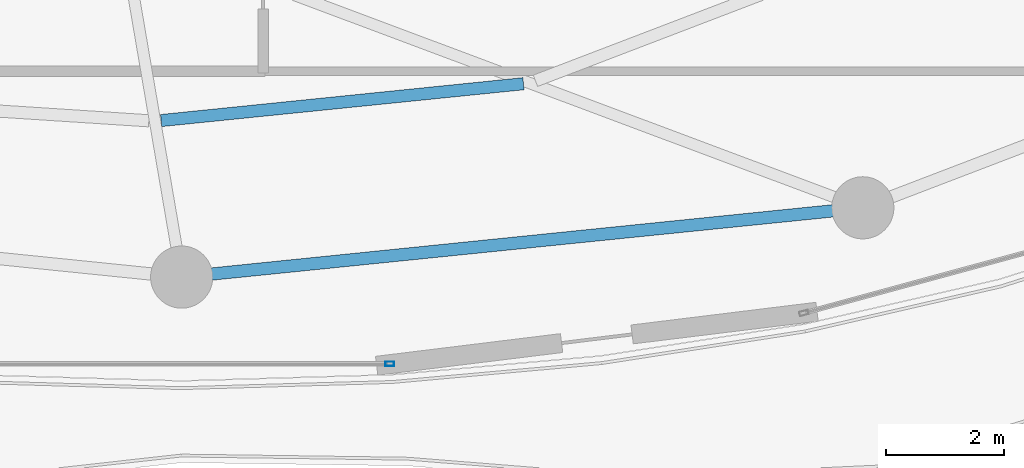
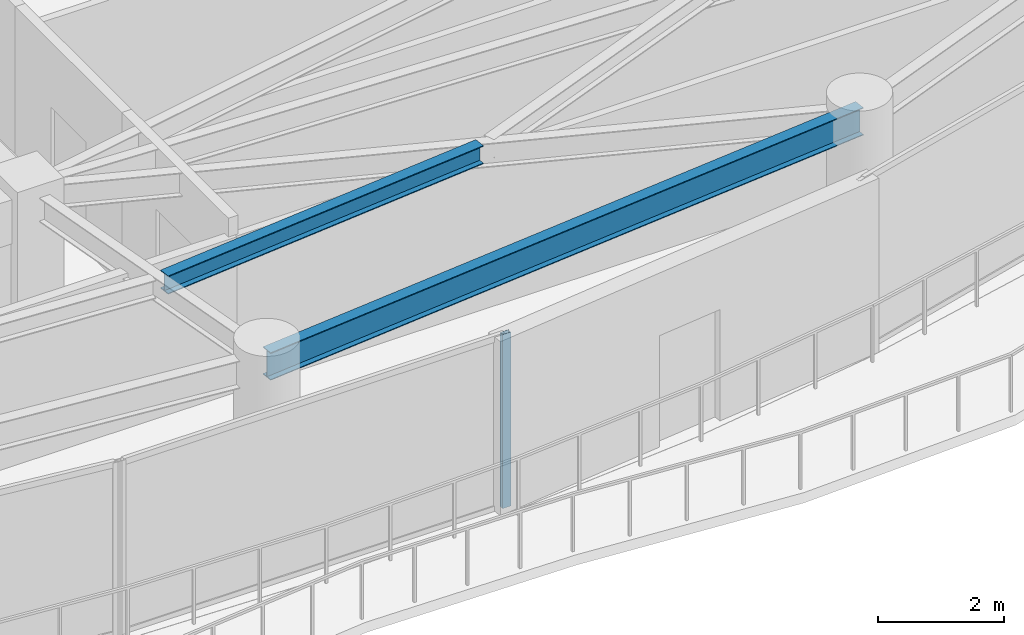
# One storey, part 9 of 28: 2 beams, 1 member, 1 element without a shape of its own.
"""IFC4 building model written with IfcOpenShell, lengths in metres."""

from ifc_helpers import new_model, si_unit, direction, frame, origin, origin_2d, place, context, subcontext, project, spatial, hollow_rectangle, i_section, extrude, material, layer, layer_set, material_profile, profile_set, type_object, element, aggregate, save


model = new_model("IFC4")

# Units and contexts
model_context = context("Model", 3, precision=1e-05, world=origin(), true_north=direction((0.0, 1.0)))
body_context = subcontext(model_context, "Body", "Model", "MODEL_VIEW")
ifc_project = project(units=[si_unit("LENGTHUNIT", "METRE"), si_unit("AREAUNIT", "SQUARE_METRE"), si_unit("VOLUMEUNIT", "CUBIC_METRE"), si_unit("PLANEANGLEUNIT", "RADIAN"), si_unit("MASSUNIT", "GRAM", prefix="KILO")], contexts=[model_context])

# Site, building, storey
site_placement = place(None, origin())
site = spatial("IfcSite", under=ifc_project, at=site_placement, CompositionType="ELEMENT")
building_placement = place(site_placement, origin())
building = spatial("IfcBuilding", under=site, at=building_placement, Name="Kazevale Care Tower and Concert Hall", CompositionType="ELEMENT")
storey_placement = place(building_placement, frame((0.0, 0.0, 231.60009765625)))
storey = spatial("IfcBuildingStorey", under=building, at=storey_placement, Name="L61", CompositionType="ELEMENT", Elevation=231.60009765625)

# Curtain wall, member
ifc_material_1 = material(Name="Aluminium 6063-T6 and Low-E Glass", Category="aluminium")
ifc_layer = layer(ifc_material_1, 0.179931640625)
ifc_layer_set = layer_set([ifc_layer], Name="Aluminium 6063-T6 and Low-E Glass")
curtain_wall_type = type_object("IfcCurtainWallType", Name="Sheltered Concave Balcony Curtain Wall CW-5", PredefinedType="NOTDEFINED", material=ifc_layer_set)
curtain_wall_placement = place(storey_placement, origin())
curtain_wall = element("IfcCurtainWall", 1, at=curtain_wall_placement, inside=storey, type_object=curtain_wall_type, Name="cw:L61:f06", PredefinedType="NOTDEFINED")
ifc_material_2 = material(Name="Aluminium 6063-T6", Category="aluminium")
ifc_material_profile_1 = material_profile(ifc_material_2, hollow_rectangle(XDim=0.074951171875, YDim=0.14990234375, WallThickness=0.00390625, at=origin_2d()), Name="ALU75x150x4")
ifc_profile_set_1 = profile_set([ifc_material_profile_1], Name="Aluminium 6063-T6")
member_type = type_object("IfcMemberType", Name="CW-5 Mullion ALU75x150x4", PredefinedType="MULLION", material=ifc_profile_set_1)
member_placement = place(storey_placement, frame((48.512451171875, 16.284912109375, 0.0), z_axis=(0.0, 0.0, 1.0), x_axis=(0.0, -1.0, 0.0)))
member = element("IfcMember", 2, at=member_placement, type_object=member_type, Name="CW-5 mullion 1", PredefinedType="MULLION", context=body_context, shape_type="SweptSolid", body=[
    extrude(hollow_rectangle(XDim=0.074951171875, YDim=0.14990234375, WallThickness=0.00390625, at=origin_2d()), origin(), (0.0, 0.0, 1.0), 3.35986328125),
])
aggregate(curtain_wall, [member])

# Beams
ifc_material_3 = material(Name="Steel ASTM A572 Gr 50", Category="steel")
ifc_material_profile_2 = material_profile(ifc_material_3, i_section(OverallWidth=0.205078125, OverallDepth=0.35400390625, WebThickness=0.009521484375, FlangeThickness=0.016845703125, at=origin_2d()), Name="W360x79")
ifc_profile_set_2 = profile_set([ifc_material_profile_2], Name="Steel ASTM A572 Gr 50")
beam_type_1 = type_object("IfcBeamType", Name="Secondary Floor Joist W360x79", PredefinedType="JOIST", material=ifc_profile_set_2)
beam_1_placement = place(storey_placement, frame((44.654052734375, 20.39306640625, 3.182861328125), z_axis=(0.994872697807, 0.10113513316, 0.0), x_axis=(-0.10113513316, 0.994872697807, 0.0)))
element("IfcBeam", 3, at=beam_1_placement, inside=storey, type_object=beam_type_1, Name="beam:L61:joist:13", PredefinedType="JOIST", context=body_context, shape_type="SweptSolid", body=[
    extrude(i_section(OverallWidth=0.205078125, OverallDepth=0.35400390625, WebThickness=0.009521484375, FlangeThickness=0.016845703125, at=origin_2d()), origin(), (0.0, 0.0, 1.0), 6.1484375),
])
ifc_material_profile_3 = material_profile(ifc_material_3, i_section(OverallWidth=0.208984375, OverallDepth=0.532958984375, WebThickness=0.01025390625, FlangeThickness=0.015625, at=origin_2d()), Name="W530x92")
ifc_profile_set_3 = profile_set([ifc_material_profile_3], Name="Steel ASTM A572 Gr 50")
beam_type_2 = type_object("IfcBeamType", Name="Upper Ring Beam W530x92", PredefinedType="BEAM", material=ifc_profile_set_3)
beam_2_placement = place(storey_placement, frame((45.0, 17.75, 3.093505859375), z_axis=(0.994865089307, 0.101209950492, 0.0), x_axis=(-0.101209950492, 0.994865089307, 0.0)))
element("IfcBeam", 4, at=beam_2_placement, inside=storey, type_object=beam_type_2, Name="beam:L61:ring:13", PredefinedType="BEAM", context=body_context, shape_type="SweptSolid", body=[
    extrude(i_section(OverallWidth=0.208984375, OverallDepth=0.532958984375, WebThickness=0.01025390625, FlangeThickness=0.015625, at=origin_2d()), origin(), (0.0, 0.0, 1.0), 11.559326171875),
])

save(model, "model.ifc")
